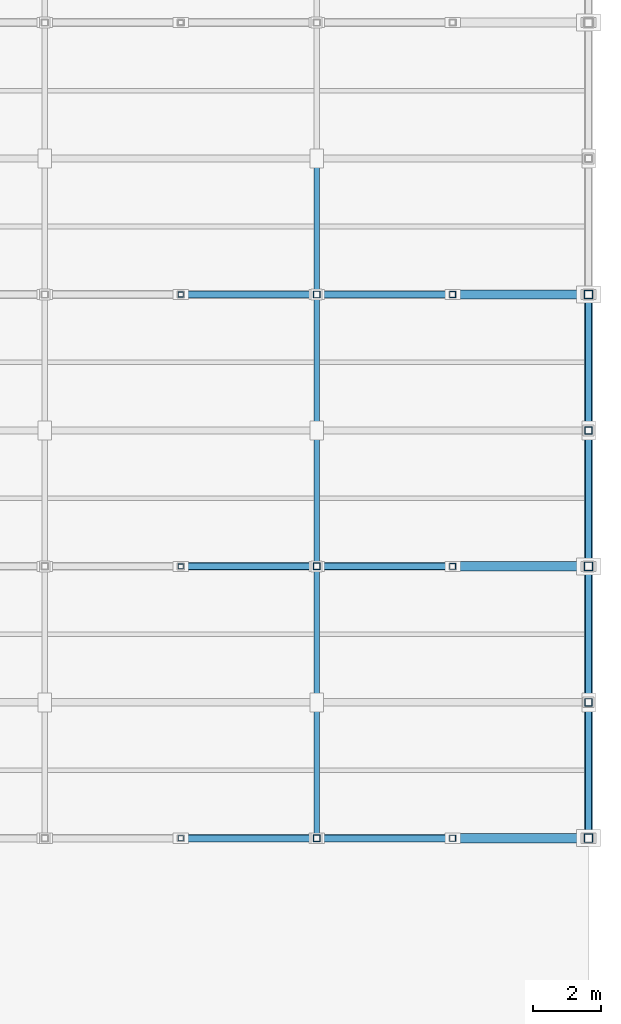
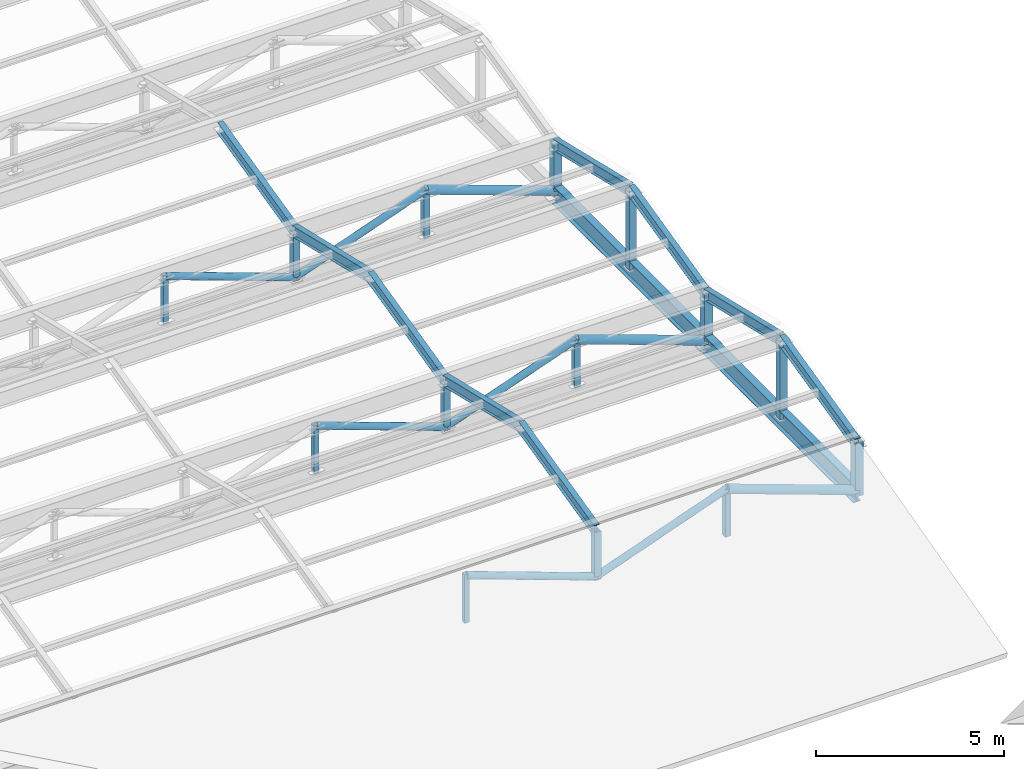
# One storey, part 55 of 112: 34 members.
"""IFC4 building model written with IfcOpenShell, lengths in metres."""

from ifc_helpers import new_model, si_unit, direction, frame, origin, origin_2d, place, context, subcontext, project, spatial, hollow_rectangle, hollow_circle, i_section, extrude, material, material_profile, profile_set, type_object, element, save


model = new_model("IFC4")

# Units and contexts
model_context = context("Model", 3, precision=1e-05, world=origin(), true_north=direction((0.0, 1.0)))
body_context = subcontext(model_context, "Body", "Model", "MODEL_VIEW")
ifc_project = project(units=[si_unit("LENGTHUNIT", "METRE"), si_unit("AREAUNIT", "SQUARE_METRE"), si_unit("VOLUMEUNIT", "CUBIC_METRE"), si_unit("PLANEANGLEUNIT", "RADIAN"), si_unit("MASSUNIT", "GRAM", prefix="KILO")], contexts=[model_context])

# Site, building, storey
site_placement = place(None, origin())
site = spatial("IfcSite", under=ifc_project, at=site_placement, CompositionType="ELEMENT")
building_placement = place(site_placement, origin())
building = spatial("IfcBuilding", under=site, at=building_placement, Name="Celadon Cloister-Ring School", CompositionType="ELEMENT")
storey_placement = place(building_placement, frame((0.0, 0.0, 8.5)))
storey = spatial("IfcBuildingStorey", under=building, at=storey_placement, Name="L02", CompositionType="ELEMENT", Elevation=8.5)

# Members
ifc_material_1 = material(Name="Structural steel S355JR", Category="steel")
ifc_material_profile_1 = material_profile(ifc_material_1, hollow_rectangle(XDim=0.25, YDim=0.25, WallThickness=0.010009765625, at=origin_2d()), Name="HSS250X250X10")
ifc_profile_set_1 = profile_set([ifc_material_profile_1], Name="Structural steel S355JR")
member_type_1 = type_object("IfcMemberType", Name="MB-01", PredefinedType="BRACE", material=ifc_profile_set_1)
for number, where, z_axis, x_axis, name in (
    (1, (174.0, 74.0, 0.85009765625), (0.0, 0.0, 1.0), (1.0, 0.0, 0.0), "Structural Member 0394"),
    (2, (174.0, 82.0, 0.85009765625), (0.0, 0.0, 1.0), (1.0, 0.0, 0.0), "Structural Member 0413"),
    (3, (174.0, 90.0, 0.85009765625), (0.0, 0.0, 1.0), (1.0, 0.0, 0.0), "Structural Member 0432"),
):
    element("IfcMember", number, at=place(storey_placement, frame(where, z_axis=z_axis, x_axis=x_axis)), inside=storey, type_object=member_type_1, Name=name, PredefinedType="BRACE", context=body_context, shape_type="SweptSolid", body=[
        extrude(hollow_rectangle(XDim=0.25, YDim=0.25, WallThickness=0.010009765625, at=origin_2d()), origin(), (0.0, 0.0, 1.0), 1.75),
    ])
ifc_material_2 = material(Name="Structural steel S355JR", Category="steel")
ifc_material_profile_2 = material_profile(ifc_material_2, hollow_rectangle(XDim=0.219970703125, YDim=0.219970703125, WallThickness=0.010009765625, at=origin_2d()), Name="HSS220X220X10")
ifc_profile_set_2 = profile_set([ifc_material_profile_2], Name="Structural steel S355JR")
member_type_2 = type_object("IfcMemberType", Name="MB-02", PredefinedType="BRACE", material=ifc_profile_set_2)
for number, where, z_axis, x_axis, name in (
    (4, (174.0, 78.0, 0.919921875), (0.0, 0.0, 1.0), (1.0, 0.0, 0.0), "Structural Member 0508"),
    (5, (174.0, 86.0, 0.919921875), (0.0, 0.0, 1.0), (1.0, 0.0, 0.0), "Structural Member 0523"),
):
    element("IfcMember", number, at=place(storey_placement, frame(where, z_axis=z_axis, x_axis=x_axis)), inside=storey, type_object=member_type_2, Name=name, PredefinedType="BRACE", context=body_context, shape_type="SweptSolid", body=[
        extrude(hollow_rectangle(XDim=0.219970703125, YDim=0.219970703125, WallThickness=0.010009765625, at=origin_2d()), origin(), (0.0, 0.0, 1.0), 2.580078125),
    ])
ifc_material_3 = material(Name="Structural steel S355JR", Category="steel")
ifc_material_profile_3 = material_profile(ifc_material_3, hollow_rectangle(XDim=0.199951171875, YDim=0.199951171875, WallThickness=0.010009765625, at=origin_2d()), Name="HSS200X200X10")
ifc_profile_set_3 = profile_set([ifc_material_profile_3], Name="Structural steel S355JR")
member_type_3 = type_object("IfcMemberType", Name="MB-03", PredefinedType="BRACE", material=ifc_profile_set_3)
for number, where, z_axis, x_axis, name in (
    (6, (166.0, 74.0, 0.919921875), (0.0, 0.0, 1.0), (1.0, 0.0, 0.0), "Structural Member 0403"),
    (7, (166.0, 82.0, 0.919921875), (0.0, 0.0, 1.0), (1.0, 0.0, 0.0), "Structural Member 0422"),
    (8, (166.0, 90.0, 0.919921875), (0.0, 0.0, 1.0), (1.0, 0.0, 0.0), "Structural Member 0441"),
):
    element("IfcMember", number, at=place(storey_placement, frame(where, z_axis=z_axis, x_axis=x_axis)), inside=storey, type_object=member_type_3, Name=name, PredefinedType="BRACE", context=body_context, shape_type="SweptSolid", body=[
        extrude(hollow_rectangle(XDim=0.199951171875, YDim=0.199951171875, WallThickness=0.010009765625, at=origin_2d()), origin(), (0.0, 0.0, 1.0), 1.56005859375),
    ])
ifc_material_4 = material(Name="Structural steel S355JR", Category="steel")
ifc_material_profile_4 = material_profile(ifc_material_4, hollow_rectangle(XDim=0.179931640625, YDim=0.179931640625, WallThickness=0.008056640625, at=origin_2d()), Name="HSS180X180X8")
ifc_profile_set_4 = profile_set([ifc_material_profile_4], Name="Structural steel S355JR")
member_type_4 = type_object("IfcMemberType", Name="MB-04", PredefinedType="BRACE", material=ifc_profile_set_4)
for number, where, z_axis, x_axis, name in (
    (9, (170.0, 74.0, 0.919921875), (0.0, 0.0, 1.0), (1.0, 0.0, 0.0), "Structural Member 0398"),
    (10, (170.0, 82.0, 0.919921875), (0.0, 0.0, 1.0), (1.0, 0.0, 0.0), "Structural Member 0417"),
    (11, (170.0, 90.0, 0.919921875), (0.0, 0.0, 1.0), (1.0, 0.0, 0.0), "Structural Member 0436"),
):
    element("IfcMember", number, at=place(storey_placement, frame(where, z_axis=z_axis, x_axis=x_axis)), inside=storey, type_object=member_type_4, Name=name, PredefinedType="BRACE", context=body_context, shape_type="SweptSolid", body=[
        extrude(hollow_rectangle(XDim=0.179931640625, YDim=0.179931640625, WallThickness=0.008056640625, at=origin_2d()), origin(), (0.0, 0.0, 1.0), 1.56005859375),
    ])
ifc_material_5 = material(Name="Structural steel S355JR", Category="steel")
ifc_material_profile_5 = material_profile(ifc_material_5, hollow_rectangle(XDim=0.14990234375, YDim=0.14990234375, WallThickness=0.008056640625, at=origin_2d()), Name="HSS150X150X8")
ifc_profile_set_5 = profile_set([ifc_material_profile_5], Name="Structural steel S355JR")
member_type_5 = type_object("IfcMemberType", Name="MB-05", PredefinedType="BRACE", material=ifc_profile_set_5)
for number, where, z_axis, x_axis, name in (
    (12, (162.0, 74.0, 0.919921875), (0.0, 0.0, 1.0), (1.0, 0.0, 0.0), "Structural Member 0402"),
    (13, (162.0, 82.0, 0.919921875), (0.0, 0.0, 1.0), (1.0, 0.0, 0.0), "Structural Member 0421"),
    (14, (162.0, 90.0, 0.919921875), (0.0, 0.0, 1.0), (1.0, 0.0, 0.0), "Structural Member 0440"),
):
    element("IfcMember", number, at=place(storey_placement, frame(where, z_axis=z_axis, x_axis=x_axis)), inside=storey, type_object=member_type_5, Name=name, PredefinedType="BRACE", context=body_context, shape_type="SweptSolid", body=[
        extrude(hollow_rectangle(XDim=0.14990234375, YDim=0.14990234375, WallThickness=0.008056640625, at=origin_2d()), origin(), (0.0, 0.0, 1.0), 1.56005859375),
    ])
ifc_material_6 = material(Name="Structural steel S355JR", Category="steel")
ifc_material_profile_6 = material_profile(ifc_material_6, hollow_circle(Radius=0.136474609375, WallThickness=0.010009765625, at=origin_2d()), Name="CHS273.0X10")
ifc_profile_set_6 = profile_set([ifc_material_profile_6], Name="Structural steel S355JR")
member_type_6 = type_object("IfcMemberType", Name="MB-07", PredefinedType="BRACE", material=ifc_profile_set_6)
for number, where, z_axis, x_axis, name in (
    (15, (170.0, 74.0, 2.419921875), (0.94089180426, 0.0, -0.338707266939), (0.0, 1.0, 0.0), "Structural Member 0411"),
    (16, (170.0, 82.0, 2.419921875), (0.94089180426, 0.0, -0.338707266939), (0.0, 1.0, 0.0), "Structural Member 0430"),
    (17, (170.0, 90.0, 2.419921875), (0.94089180426, 0.0, -0.338707266939), (0.0, 1.0, 0.0), "Structural Member 0449"),
):
    element("IfcMember", number, at=place(storey_placement, frame(where, z_axis=z_axis, x_axis=x_axis)), inside=storey, type_object=member_type_6, Name=name, PredefinedType="BRACE", context=body_context, shape_type="SweptSolid", body=[
        extrude(hollow_circle(Radius=0.136474609375, WallThickness=0.010009765625, at=origin_2d()), origin(), (0.0, 0.0, 1.0), 4.251220703125),
    ])
ifc_material_7 = material(Name="Structural steel S355JR", Category="steel")
ifc_material_profile_7 = material_profile(ifc_material_7, hollow_circle(Radius=0.109619140625, WallThickness=0.010009765625, at=origin_2d()), Name="CHS219.1X10")
ifc_profile_set_7 = profile_set([ifc_material_profile_7], Name="Structural steel S355JR")
member_type_7 = type_object("IfcMemberType", Name="MB-08", PredefinedType="BRACE", material=ifc_profile_set_7)
for number, where, z_axis, x_axis, name in (
    (18, (162.0, 74.0, 2.419921875), (0.94089180426, 0.0, -0.338707266939), (0.0, 1.0, 0.0), "Structural Member 0409"),
    (19, (166.0, 74.0, 0.97998046875), (0.94089180426, 0.0, 0.338707266939), (0.0, 1.0, 0.0), "Structural Member 0410"),
    (20, (162.0, 82.0, 2.419921875), (0.94089180426, 0.0, -0.338707266939), (0.0, 1.0, 0.0), "Structural Member 0428"),
    (21, (166.0, 82.0, 0.97998046875), (0.94089180426, 0.0, 0.338707266939), (0.0, 1.0, 0.0), "Structural Member 0429"),
    (22, (162.0, 90.0, 2.419921875), (0.94089180426, 0.0, -0.338707266939), (0.0, 1.0, 0.0), "Structural Member 0447"),
    (23, (166.0, 90.0, 0.97998046875), (0.94089180426, 0.0, 0.338707266939), (0.0, 1.0, 0.0), "Structural Member 0448"),
):
    element("IfcMember", number, at=place(storey_placement, frame(where, z_axis=z_axis, x_axis=x_axis)), inside=storey, type_object=member_type_7, Name=name, PredefinedType="BRACE", context=body_context, shape_type="SweptSolid", body=[
        extrude(hollow_circle(Radius=0.109619140625, WallThickness=0.010009765625, at=origin_2d()), origin(), (0.0, 0.0, 1.0), 4.251220703125),
    ])
ifc_material_8 = material(Name="Structural steel S355JR", Category="steel")
ifc_material_profile_8 = material_profile(ifc_material_8, i_section(OverallWidth=0.22900390625, OverallDepth=0.612060546875, WebThickness=0.011962890625, FlangeThickness=0.01953125, at=origin_2d()), Name="W610X125")
ifc_profile_set_8 = profile_set([ifc_material_profile_8], Name="Structural steel S355JR")
member_type_8 = type_object("IfcMemberType", Name="MC-01", PredefinedType="CHORD", material=ifc_profile_set_8)
for number, where, z_axis, x_axis, name in (
    (24, (174.0, 74.0, 0.89990234375), (0.0, 1.0, 0.0), (-1.0, 0.0, 0.0), "Structural Member 0384"),
    (25, (174.0, 82.0, 0.89990234375), (0.0, 1.0, 0.0), (-1.0, 0.0, 0.0), "Structural Member 0386"),
):
    element("IfcMember", number, at=place(storey_placement, frame(where, z_axis=z_axis, x_axis=x_axis)), inside=storey, type_object=member_type_8, Name=name, PredefinedType="CHORD", context=body_context, shape_type="SweptSolid", body=[
        extrude(i_section(OverallWidth=0.22900390625, OverallDepth=0.612060546875, WebThickness=0.011962890625, FlangeThickness=0.01953125, at=origin_2d()), origin(), (0.0, 0.0, 1.0), 8.0),
    ])
ifc_material_9 = material(Name="Structural steel S355JR", Category="steel")
ifc_material_profile_9 = material_profile(ifc_material_9, i_section(OverallWidth=0.1708984375, OverallDepth=0.35498046875, WebThickness=0.007080078125, FlangeThickness=0.01171875, at=origin_2d()), Name="W360X51")
ifc_profile_set_9 = profile_set([ifc_material_profile_9], Name="Structural steel S355JR")
member_type_9 = type_object("IfcMemberType", Name="MR-05", PredefinedType="RAFTER", material=ifc_profile_set_9)
for number, where, z_axis, x_axis, name in (
    (26, (166.0, 74.0, 2.5), (0.0, 0.97293922076, 0.231061188231), (-1.0, 0.0, 0.0), "Structural Member 0516"),
    (27, (166.0, 78.0, 3.449951171875), (0.0, 0.97293922076, -0.231061188231), (-1.0, 0.0, 0.0), "Structural Member 0517"),
    (28, (174.0, 74.0, 2.5), (0.0, 0.97293922076, 0.231061188231), (-1.0, 0.0, 0.0), "Structural Member 0518"),
    (29, (174.0, 78.0, 3.449951171875), (0.0, 0.97293922076, -0.231061188231), (-1.0, 0.0, 0.0), "Structural Member 0519"),
    (30, (166.0, 82.0, 2.5), (0.0, 0.97293922076, 0.231061188231), (-1.0, 0.0, 0.0), "Structural Member 0531"),
    (31, (166.0, 86.0, 3.449951171875), (0.0, 0.97293922076, -0.231061188231), (-1.0, 0.0, 0.0), "Structural Member 0532"),
    (32, (174.0, 82.0, 2.5), (0.0, 0.97293922076, 0.231061188231), (-1.0, 0.0, 0.0), "Structural Member 0533"),
    (33, (174.0, 86.0, 3.449951171875), (0.0, 0.97293922076, -0.231061188231), (-1.0, 0.0, 0.0), "Structural Member 0534"),
    (34, (166.0, 90.0, 2.5), (0.0, 0.97293922076, 0.231061188231), (-1.0, 0.0, 0.0), "Structural Member 0546"),
):
    element("IfcMember", number, at=place(storey_placement, frame(where, z_axis=z_axis, x_axis=x_axis)), inside=storey, type_object=member_type_9, Name=name, PredefinedType="RAFTER", context=body_context, shape_type="SweptSolid", body=[
        extrude(i_section(OverallWidth=0.1708984375, OverallDepth=0.35498046875, WebThickness=0.007080078125, FlangeThickness=0.01171875, at=origin_2d()), origin(), (0.0, 0.0, 1.0), 4.111328125),
    ])

save(model, "model.ifc")
